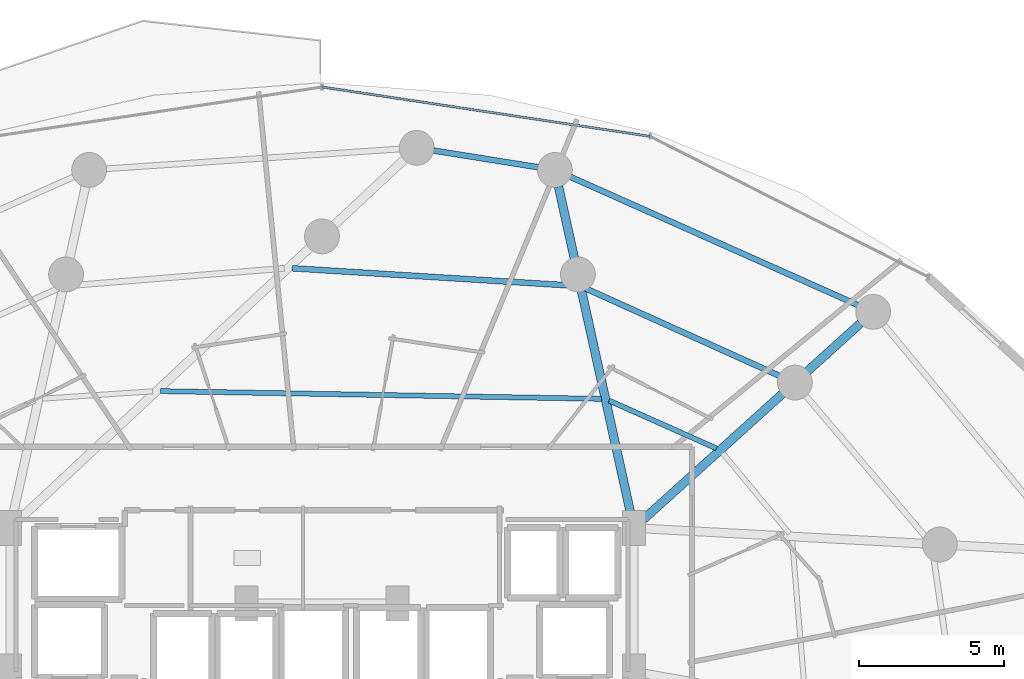
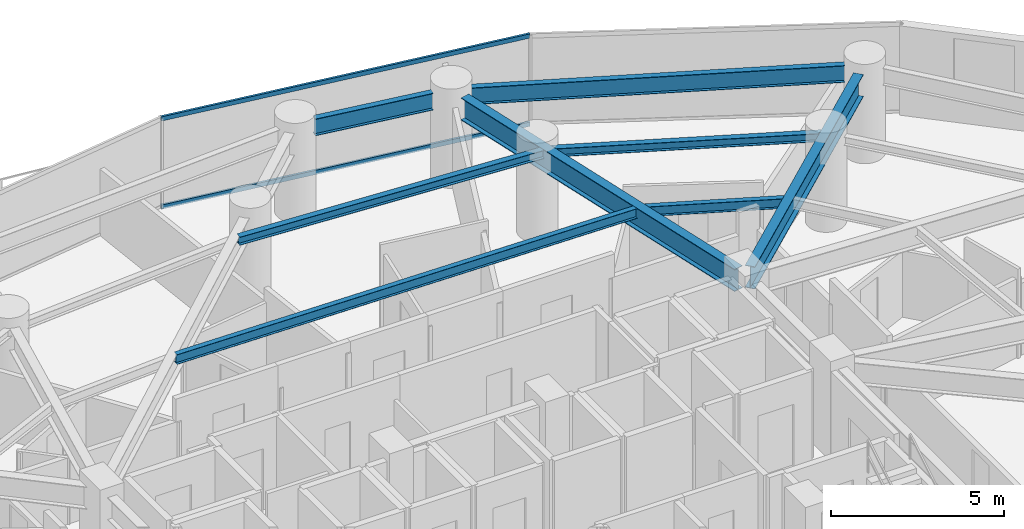
# One storey, part 22 of 34: 8 beams, 2 members, 1 element without a shape of its own.
"""IFC4 building model written with IfcOpenShell, lengths in metres."""

from ifc_helpers import new_model, si_unit, direction, frame, origin, origin_2d, place, context, subcontext, project, spatial, hollow_rectangle, i_section, extrude, material, material_profile, profile_set, type_object, element, aggregate, save


model = new_model("IFC4")

# Units and contexts
model_context = context("Model", 3, precision=1e-05, world=origin(), true_north=direction((0.0, 1.0)))
body_context = subcontext(model_context, "Body", "Model", "MODEL_VIEW")
ifc_project = project(units=[si_unit("LENGTHUNIT", "METRE"), si_unit("AREAUNIT", "SQUARE_METRE"), si_unit("VOLUMEUNIT", "CUBIC_METRE"), si_unit("PLANEANGLEUNIT", "RADIAN"), si_unit("MASSUNIT", "GRAM", prefix="KILO")], contexts=[model_context])

# Site, building, storey
site_placement = place(None, origin())
site = spatial("IfcSite", under=ifc_project, at=site_placement, CompositionType="ELEMENT")
building_placement = place(site_placement, origin())
building = spatial("IfcBuilding", under=site, at=building_placement, Name="Vorneva Point Tower", CompositionType="ELEMENT")
storey_placement = place(building_placement, frame((0.0, 0.0, 66.0)))
storey = spatial("IfcBuildingStorey", under=building, at=storey_placement, Name="L17", CompositionType="ELEMENT", Elevation=66.0)

# Beams
ifc_material_1 = material(Name="Steel S355", Category="steel")
ifc_material_profile_1 = material_profile(ifc_material_1, i_section(OverallWidth=0.300048828125, OverallDepth=0.7880859375, WebThickness=0.014404296875, FlangeThickness=0.02197265625, at=origin_2d()), Name="80Sh1")
ifc_profile_set_1 = profile_set([ifc_material_profile_1], Name="Steel S355")
beam_type_1 = type_object("IfcBeamType", Name="BM-GRD-80Sh1", PredefinedType="USERDEFINED", material=ifc_profile_set_1)
beam_1_placement = place(storey_placement, frame((56.56103515625, 40.205810546875, 2.756103515625), z_axis=(-0.742076105577, -0.670315637243, 0.0), x_axis=(0.670315637243, -0.742076105577, 0.0)))
element("IfcBeam", 1, at=beam_1_placement, inside=storey, type_object=beam_type_1, Name="L17 Radial Primary Girder 03", ObjectType="GIRDER", PredefinedType="USERDEFINED", context=body_context, shape_type="SweptSolid", body=[
    extrude(i_section(OverallWidth=0.300048828125, OverallDepth=0.7880859375, WebThickness=0.014404296875, FlangeThickness=0.02197265625, at=origin_2d()), origin(), (0.0, 0.0, 1.0), 10.18603515625),
])
beam_2_placement = place(storey_placement, frame((46.15283203125, 44.91748046875, 2.756103515625), z_axis=(0.215521919097, -0.976499002759, 0.0), x_axis=(0.976499002759, 0.215521919097, 0.0)))
element("IfcBeam", 2, at=beam_2_placement, inside=storey, type_object=beam_type_1, Name="L17 Radial Primary Girder 04", ObjectType="GIRDER", PredefinedType="USERDEFINED", context=body_context, shape_type="SweptSolid", body=[
    extrude(i_section(OverallWidth=0.300048828125, OverallDepth=0.7880859375, WebThickness=0.014404296875, FlangeThickness=0.02197265625, at=origin_2d()), origin(), (0.0, 0.0, 1.0), 11.710693359375),
])
ifc_material_profile_2 = material_profile(ifc_material_1, i_section(OverallWidth=0.199951171875, OverallDepth=0.291015625, WebThickness=0.008056640625, FlangeThickness=0.010986328125, at=origin_2d()), Name="30Sh1")
ifc_profile_set_2 = profile_set([ifc_material_profile_2], Name="Steel S355")
beam_type_2 = type_object("IfcBeamType", Name="BM-SEC-30Sh1", PredefinedType="BEAM", material=ifc_profile_set_2)
beam_3_placement = place(storey_placement, frame((54.167724609375, 38.214111328125, 3.00439453125), z_axis=(-0.911598910005, 0.41108080383, 0.0), x_axis=(-0.41108080383, -0.911598910005, 0.0)))
element("IfcBeam", 3, at=beam_3_placement, inside=storey, type_object=beam_type_2, Name="L17 Secondary Floor Beam 1.03", PredefinedType="BEAM", context=body_context, shape_type="SweptSolid", body=[
    extrude(i_section(OverallWidth=0.199951171875, OverallDepth=0.291015625, WebThickness=0.008056640625, FlangeThickness=0.010986328125, at=origin_2d()), origin(), (0.0, 0.0, 1.0), 7.823486328125),
])
beam_4_placement = place(storey_placement, frame((46.772216796875, 41.495361328125, 3.00439453125), z_axis=(-0.998090798829, 0.061763721489, 0.0), x_axis=(-0.061763721489, -0.998090798829, 0.0)))
element("IfcBeam", 4, at=beam_4_placement, inside=storey, type_object=beam_type_2, Name="L17 Secondary Floor Beam 1.04", PredefinedType="BEAM", context=body_context, shape_type="SweptSolid", body=[
    extrude(i_section(OverallWidth=0.199951171875, OverallDepth=0.291015625, WebThickness=0.008056640625, FlangeThickness=0.010986328125, at=origin_2d()), origin(), (0.0, 0.0, 1.0), 9.81884765625),
])
ifc_material_profile_3 = material_profile(ifc_material_1, i_section(OverallWidth=0.174072265625, OverallDepth=0.345947265625, WebThickness=0.006103515625, FlangeThickness=0.009033203125, at=origin_2d()), Name="35B1")
ifc_profile_set_3 = profile_set([ifc_material_profile_3], Name="Steel S355")
beam_type_3 = type_object("IfcBeamType", Name="BM-SEC-35B1", PredefinedType="BEAM", material=ifc_profile_set_3)
beam_5_placement = place(storey_placement, frame((51.597412109375, 35.89208984375, 2.97705078125), z_axis=(-0.913393882838, 0.407076915083, 0.0), x_axis=(-0.407076915083, -0.913393882838, 0.0)))
element("IfcBeam", 5, at=beam_5_placement, inside=storey, type_object=beam_type_3, Name="L17 Secondary Floor Beam 2.03", PredefinedType="BEAM", context=body_context, shape_type="SweptSolid", body=[
    extrude(i_section(OverallWidth=0.174072265625, OverallDepth=0.345947265625, WebThickness=0.006103515625, FlangeThickness=0.009033203125, at=origin_2d()), origin(), (0.0, 0.0, 1.0), 4.05419921875),
])
beam_6_placement = place(storey_placement, frame((47.630126953125, 37.601318359375, 2.97705078125), z_axis=(-0.999845498641, 0.017577794168, 0.0), x_axis=(-0.017577794168, -0.999845498641, 0.0)))
element("IfcBeam", 6, at=beam_6_placement, inside=storey, type_object=beam_type_3, Name="L17 Secondary Floor Beam 2.04", PredefinedType="BEAM", context=body_context, shape_type="SweptSolid", body=[
    extrude(i_section(OverallWidth=0.174072265625, OverallDepth=0.345947265625, WebThickness=0.006103515625, FlangeThickness=0.009033203125, at=origin_2d()), origin(), (0.0, 0.0, 1.0), 15.19482421875),
])
ifc_material_profile_4 = material_profile(ifc_material_1, i_section(OverallWidth=0.198974609375, OverallDepth=0.595947265625, WebThickness=0.010009765625, FlangeThickness=0.014892578125, at=origin_2d()), Name="60B1")
ifc_profile_set_4 = profile_set([ifc_material_profile_4], Name="Steel S355")
beam_type_4 = type_object("IfcBeamType", Name="BM-SPN-60B1", PredefinedType="SPANDREL", material=ifc_profile_set_4)
beam_7_placement = place(storey_placement, frame((56.463134765625, 40.837890625, 2.85205078125), z_axis=(-0.913318750016, 0.407245455309, 0.0), x_axis=(-0.407245455309, -0.913318750016, 0.0)))
element("IfcBeam", 7, at=beam_7_placement, inside=storey, type_object=beam_type_4, Name="L17 Perimeter Spandrel Ring Beam 03", PredefinedType="SPANDREL", context=body_context, shape_type="SweptSolid", body=[
    extrude(i_section(OverallWidth=0.198974609375, OverallDepth=0.595947265625, WebThickness=0.010009765625, FlangeThickness=0.014892578125, at=origin_2d()), origin(), (0.0, 0.0, 1.0), 10.842529296875),
])
beam_8_placement = place(storey_placement, frame((45.448486328125, 45.583984375, 2.85205078125), z_axis=(-0.987472321528, 0.157792313549, 0.0), x_axis=(-0.157792313549, -0.987472321528, 0.0)))
element("IfcBeam", 8, at=beam_8_placement, inside=storey, type_object=beam_type_4, Name="L17 Perimeter Spandrel Ring Beam 04", PredefinedType="SPANDREL", context=body_context, shape_type="SweptSolid", body=[
    extrude(i_section(OverallWidth=0.198974609375, OverallDepth=0.595947265625, WebThickness=0.010009765625, FlangeThickness=0.014892578125, at=origin_2d()), origin(), (0.0, 0.0, 1.0), 3.6513671875),
])

# Curtain wall, members
ifc_material_2 = material(Name="Pale anodised aluminium", Category="aluminium")
curtain_wall_type = type_object("IfcCurtainWallType", Name="CW-HTL-SYS", PredefinedType="NOTDEFINED", material=ifc_material_2)
curtain_wall_placement = place(storey_placement, origin())
curtain_wall = element("IfcCurtainWall", 9, at=curtain_wall_placement, inside=storey, type_object=curtain_wall_type, Name="L17 Unitised Curtain Wall CW-L17-R02", PredefinedType="NOTDEFINED")
ifc_material_profile_5 = material_profile(ifc_material_2, hollow_rectangle(XDim=0.074951171875, YDim=0.14990234375, WallThickness=0.00390625, at=origin_2d()), Name="AL-TRN 150x75x4")
ifc_profile_set_5 = profile_set([ifc_material_profile_5], Name="Pale anodised aluminium")
member_type = type_object("IfcMemberType", Name="CW-TRN-150", PredefinedType="USERDEFINED", material=ifc_profile_set_5)
member_1_placement = place(storey_placement, frame((49.308349609375, 46.648681640625, 0.02001953125), z_axis=(-0.988870014575, 0.148782036131, 0.0), x_axis=(-0.148782036131, -0.988870014575, 0.0)))
member_1 = element("IfcMember", 10, at=member_1_placement, type_object=member_type, Name="CW-L17-R02 Transom 02.1", ObjectType="TRANSOM", PredefinedType="USERDEFINED", context=body_context, shape_type="SweptSolid", body=[
    extrude(hollow_rectangle(XDim=0.074951171875, YDim=0.14990234375, WallThickness=0.00390625, at=origin_2d()), origin(), (0.0, 0.0, 1.0), 11.435546875),
])
member_2_placement = place(storey_placement, frame((49.308349609375, 46.648681640625, 3.1298828125), z_axis=(-0.988870014575, 0.148782036131, 0.0), x_axis=(-0.148782036131, -0.988870014575, 0.0)))
member_2 = element("IfcMember", 11, at=member_2_placement, type_object=member_type, Name="CW-L17-R02 Transom 02.2", ObjectType="TRANSOM", PredefinedType="USERDEFINED", context=body_context, shape_type="SweptSolid", body=[
    extrude(hollow_rectangle(XDim=0.074951171875, YDim=0.14990234375, WallThickness=0.00390625, at=origin_2d()), origin(), (0.0, 0.0, 1.0), 11.435546875),
])
aggregate(curtain_wall, [member_1, member_2])

save(model, "model.ifc")
